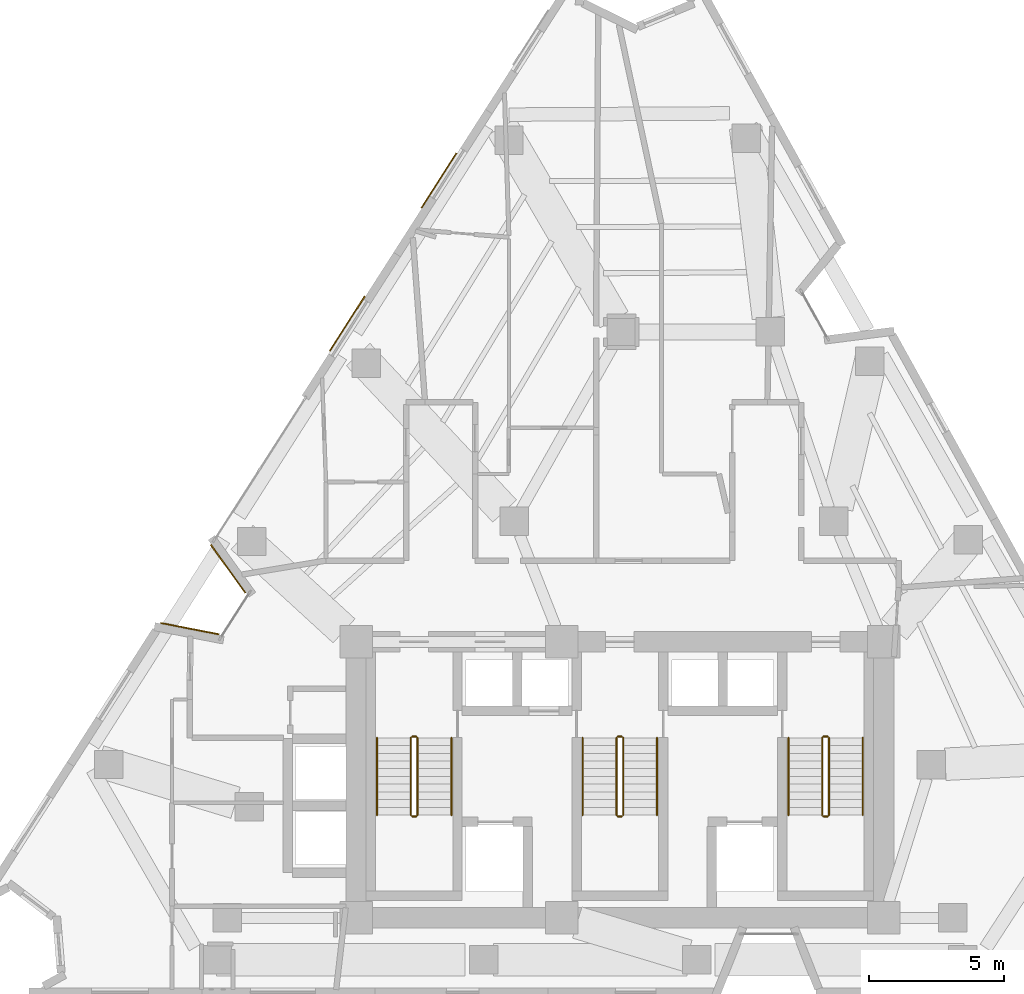
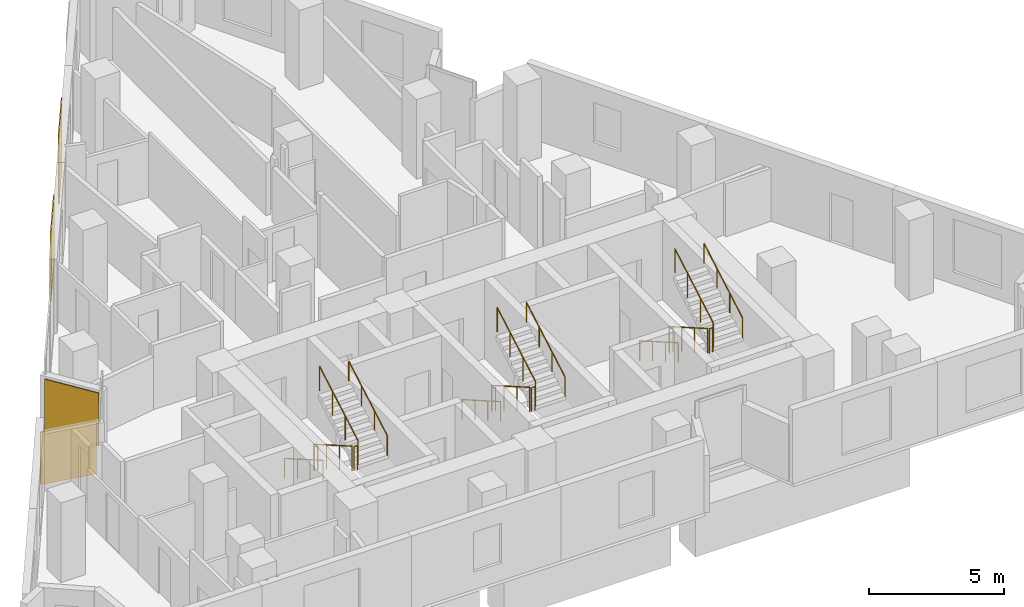
# One storey, part 10 of 11: 18 railings, 4 coverings.
"""IFC4 building model written with IfcOpenShell, lengths in metres."""

import ifcopenshell
import ifcopenshell.guid

model = None  # the IFC model being written
_history = None  # IfcOwnerHistory: only IFC2X3 demands one
_inside = {}  # id of a spatial element -> (the spatial element, [elements in it])
_under = {}  # id of a project, library or spatial element -> (it, [spatial elements below it])
_declared = {}  # id of a project -> (the project, [libraries it declares])
_typed = {}  # id of a type object -> (the type object, [elements of that type])
_made_of = {}  # id of a material, layer set ... -> (it, [elements and type objects made of it])


def new_model(schema):
    """Start an empty IFC model of exactly this schema.

    Asked for "IFC4X3", IfcOpenShell would pick the latest addendum, in which some entities
    have other attributes; the version numbers below select the first issue.
    IFC2X3 requires an IfcOwnerHistory on every rooted entity: one is made here for all.
    """
    global model, _history
    if schema == "IFC4X3":
        model = ifcopenshell.file(schema_version=(4, 3, 0, 0))
    else:
        model = ifcopenshell.file(schema=schema)
    _inside.clear()
    _under.clear()
    _declared.clear()
    _typed.clear()
    _made_of.clear()
    _history = None
    if model.schema == "IFC2X3":
        org = make("IfcOrganization", Name="unknown")
        user = make(
            "IfcPersonAndOrganization",
            ThePerson=make("IfcPerson", FamilyName="unknown"),
            TheOrganization=org,
        )
        app = make(
            "IfcApplication",
            ApplicationDeveloper=org,
            Version="unknown",
            ApplicationFullName="unknown",
            ApplicationIdentifier="unknown",
        )
        _history = make(
            "IfcOwnerHistory",
            OwningUser=user,
            OwningApplication=app,
            ChangeAction="ADDED",
            CreationDate=0,
        )
    return model


def make(cls, **values):
    """One entity of the class cls with the attributes given. An attribute that is None is left unset."""
    return model.create_entity(
        cls, **{name: value for name, value in values.items() if value is not None}
    )


def rooted(cls, **values):
    """An entity with a GlobalId (a new one), such as an element, a storey or a relation."""
    return make(cls, GlobalId=ifcopenshell.guid.new(), OwnerHistory=_history, **values)


def si_unit(unit_type, name, prefix=None):
    """IfcSIUnit, for example si_unit("LENGTHUNIT", "METRE", prefix="MILLI")."""
    return make("IfcSIUnit", UnitType=unit_type, Prefix=prefix, Name=name)


def assignment(units):
    """IfcUnitAssignment: the units of a project."""
    return None if units is None else make("IfcUnitAssignment", Units=units)


def point(xyz):
    """IfcCartesianPoint."""
    return None if xyz is None else make("IfcCartesianPoint", Coordinates=xyz)


def direction(xyz):
    """IfcDirection."""
    return None if xyz is None else make("IfcDirection", DirectionRatios=xyz)


def frame(location, z_axis=None, x_axis=None):
    """IfcAxis2Placement3D, a coordinate frame: its origin and axes. An axis left out is left unset."""
    return make(
        "IfcAxis2Placement3D",
        Location=point(location),
        Axis=direction(z_axis),
        RefDirection=direction(x_axis),
    )


def frame_2d(location, x_axis=None):
    """IfcAxis2Placement2D, a coordinate frame in the plane: its origin and x axis."""
    return make(
        "IfcAxis2Placement2D", Location=point(location), RefDirection=direction(x_axis)
    )


def origin():
    """The frame at (0, 0, 0) with its axes left unset."""
    return frame((0.0, 0.0, 0.0))


def origin_2d():
    """The frame at (0, 0) in the plane with its x axis left unset."""
    return frame_2d((0.0, 0.0))


def place(relative_to, where):
    """IfcLocalPlacement: puts the frame where relative to a parent placement (None: the world)."""
    return make(
        "IfcLocalPlacement", PlacementRelTo=relative_to, RelativePlacement=where
    )


def context(
    kind, dimensions, precision=None, world=None, true_north=None, identifier=None
):
    """IfcGeometricRepresentationContext, for example the 3D "Model" context."""
    return make(
        "IfcGeometricRepresentationContext",
        ContextIdentifier=identifier,
        ContextType=kind,
        CoordinateSpaceDimension=dimensions,
        Precision=precision,
        WorldCoordinateSystem=world,
        TrueNorth=true_north,
    )


def subcontext(parent, identifier, kind, view, scale=None):
    """IfcGeometricRepresentationSubContext, for example "Body" below "Model"."""
    return make(
        "IfcGeometricRepresentationSubContext",
        ContextIdentifier=identifier,
        ContextType=kind,
        ParentContext=parent,
        TargetScale=scale,
        TargetView=view,
    )


def project(units=None, contexts=None):
    """IfcProject with its units and contexts."""
    return rooted(
        "IfcProject",
        Name="project",
        RepresentationContexts=contexts,
        UnitsInContext=assignment(units),
    )


def spatial(cls, under=None, at=None, **own):
    """A site, building, storey or space (cls), placed at a placement, below another one or the project."""
    s = rooted(cls, ObjectPlacement=at, **own)
    if under is not None:
        _under.setdefault(under.id(), (under, []))[1].append(s)
    return s


def profile(cls, at=None, kind="AREA", **sizes):
    """A parametric profile (cls). Its sizes go by their IFC names, for example OverallWidth=200.0."""
    return make(cls, ProfileType=kind, Position=at, **sizes)


def rectangle(**sizes):
    """IfcRectangleProfileDef."""
    return profile("IfcRectangleProfileDef", **sizes)


def circle(**sizes):
    """IfcCircleProfileDef."""
    return profile("IfcCircleProfileDef", **sizes)


def extrude(swept, where, along, depth):
    """IfcExtrudedAreaSolid: the profile swept, set in the frame where, extruded along a direction by depth."""
    return make(
        "IfcExtrudedAreaSolid",
        SweptArea=swept,
        Position=where,
        ExtrudedDirection=direction(along),
        Depth=depth,
    )


def shape(context_of_items, identifier, shape_type, items):
    """IfcShapeRepresentation: the items that make up one representation, for example the "Body"."""
    return make(
        "IfcShapeRepresentation",
        ContextOfItems=context_of_items,
        RepresentationIdentifier=identifier,
        RepresentationType=shape_type,
        Items=items,
    )


def material(Name=None, Category=None):
    """IfcMaterial."""
    return make("IfcMaterial", Name=Name, Category=Category)


def layer(
    of_material, thickness, ventilated=None, Name=None, Category=None, Priority=None
):
    """IfcMaterialLayer: one layer of a wall or slab, of a material (None: an air gap)."""
    return make(
        "IfcMaterialLayer",
        Material=of_material,
        LayerThickness=thickness,
        IsVentilated=ventilated,
        Name=Name,
        Category=Category,
        Priority=Priority,
    )


def layer_set(layers, Name=None):
    """IfcMaterialLayerSet."""
    return make("IfcMaterialLayerSet", MaterialLayers=layers, LayerSetName=Name)


def made_of(thing, what):
    """Note that an element or type object is made of a material, layer set ...; save() writes the relation."""
    if what is not None:
        _made_of.setdefault(what.id(), (what, []))[1].append(thing)
    return thing


def type_object(cls, material=None, **own):
    """A type object (cls), such as IfcWallType, which elements share."""
    return made_of(rooted(cls, **own), material)


def element(
    cls,
    number,
    at=None,
    inside=None,
    cuts=None,
    type_object=None,
    material=None,
    context=None,
    identifier="Body",
    shape_type=None,
    held_by="IfcProductDefinitionShape",
    body=None,
    shapes=None,
    **own,
):
    """One element of the class cls, such as IfcWall. Its Tag is "e" and its number.

    at: its placement. inside: the storey or other place that contains it. cuts: it is an
    opening in that element (IfcRelVoidsElement). A single representation is given by context,
    identifier, shape_type and body (its items); several are given by shapes. held_by: the class
    of the entity that holds the representations. save() writes the other relations.
    """
    e = rooted(cls, Tag="e%d" % number, ObjectPlacement=at, **own)
    if body is not None:
        shapes = [shape(context, identifier, shape_type, body)]
    if shapes is not None:
        e.Representation = make(held_by, Representations=shapes)
    if inside is not None:
        _inside.setdefault(inside.id(), (inside, []))[1].append(e)
    if cuts is not None:
        rooted(
            "IfcRelVoidsElement", RelatingBuildingElement=cuts, RelatedOpeningElement=e
        )
    if type_object is not None:
        _typed.setdefault(type_object.id(), (type_object, []))[1].append(e)
    return made_of(e, material)


def aggregate(whole, parts):
    """IfcRelAggregates: a whole, such as a stair, and the parts it consists of."""
    return rooted("IfcRelAggregates", RelatingObject=whole, RelatedObjects=parts)


def save(model, path):
    """Write the relations noted so far, then the file.

    IfcRelAggregates (storeys below a building ...), IfcRelContainedInSpatialStructure (elements
    in a storey), IfcRelDefinesByType, IfcRelAssociatesMaterial and IfcRelDeclares: one each for
    every whole, place, type object, material and project.
    """
    for whole, parts in _under.values():
        aggregate(whole, parts)
    for where, things in _inside.values():
        rooted(
            "IfcRelContainedInSpatialStructure",
            RelatedElements=things,
            RelatingStructure=where,
        )
    for kind, things in _typed.values():
        rooted("IfcRelDefinesByType", RelatedObjects=things, RelatingType=kind)
    for what, things in _made_of.values():
        rooted("IfcRelAssociatesMaterial", RelatedObjects=things, RelatingMaterial=what)
    for by, libraries in _declared.values():
        rooted("IfcRelDeclares", RelatingContext=by, RelatedDefinitions=libraries)
    model.write(path)


model = new_model("IFC4")

# Units and contexts
model_context = context("Model", 3, precision=1e-05, world=origin(), true_north=direction((0.0, 1.0)))
body_context = subcontext(model_context, "Body", "Model", "MODEL_VIEW")
ifc_project = project(units=[si_unit("LENGTHUNIT", "METRE"), si_unit("AREAUNIT", "SQUARE_METRE"), si_unit("VOLUMEUNIT", "CUBIC_METRE"), si_unit("PLANEANGLEUNIT", "RADIAN"), si_unit("MASSUNIT", "GRAM", prefix="KILO")], contexts=[model_context])

# Site, building, storey
site_placement = place(None, origin())
site = spatial("IfcSite", under=ifc_project, at=site_placement, CompositionType="ELEMENT")
building_placement = place(site_placement, origin())
building = spatial("IfcBuilding", under=site, at=building_placement, Name="Almagre Mirador Tower", CompositionType="ELEMENT")
storey_placement = place(building_placement, frame((0.0, 0.0, 153.60009765625)))
storey = spatial("IfcBuildingStorey", under=building, at=storey_placement, Name="L39", CompositionType="ELEMENT", Elevation=153.60009765625)

# Coverings
ifc_material_1 = material(Name="Almagre terracotta architectural cladding", Category="masonry")
ifc_layer = layer(ifc_material_1, 0.044921875)
ifc_layer_set = layer_set([ifc_layer], Name="Almagre terracotta architectural cladding")
covering_type = type_object("IfcCoveringType", Name="COV-CLAD-ALMAGRE", PredefinedType="CLADDING", material=ifc_layer_set)
covering_1_placement = place(storey_placement, frame((21.409912109375, 15.2353515625, 0.099853515625), z_axis=(0.0, 0.0, 1.0), x_axis=(0.981760154029, -0.190123643878, 0.0)))
element("IfcCovering", 1, at=covering_1_placement, inside=storey, type_object=covering_type, Name="L39 almagre terracotta pier cladding", PredefinedType="CLADDING", context=body_context, shape_type="SweptSolid", body=[
    extrude(rectangle(XDim=2.194091796875, YDim=0.044921875, at=origin_2d()), origin(), (0.0, 0.0, 1.0), 2.375),
])
covering_2_placement = place(storey_placement, frame((22.826416015625, 17.44482421875, 0.099853515625), z_axis=(0.0, 0.0, 1.0), x_axis=(-0.583186817535, 0.812338067466, 0.0)))
element("IfcCovering", 2, at=covering_2_placement, inside=storey, type_object=covering_type, Name="L39 almagre terracotta pier cladding", PredefinedType="CLADDING", context=body_context, shape_type="SweptSolid", body=[
    extrude(rectangle(XDim=2.193115234375, YDim=0.044921875, at=origin_2d()), origin(), (0.0, 0.0, 1.0), 2.375),
])
for number, where, z_axis, x_axis, name in (
    (3, (27.22802734375, 26.50830078125, 0.099853515625), (0.0, 0.0, 1.0), (0.539505758171, 0.841981910079, 0.0), "L39 almagre terracotta pier cladding"),
    (4, (30.615478515625, 31.794921875, 0.099853515625), (0.0, 0.0, 1.0), (0.539505758171, 0.841981910079, 0.0), "L39 almagre terracotta pier cladding"),
):
    element("IfcCovering", number, at=place(storey_placement, frame(where, z_axis=z_axis, x_axis=x_axis)), inside=storey, type_object=covering_type, Name=name, PredefinedType="CLADDING", context=body_context, shape_type="SweptSolid", body=[
        extrude(rectangle(XDim=2.39990234375, YDim=0.044921875, at=origin_2d()), origin(), (0.0, 0.0, 1.0), 3.14990234375),
    ])

# Railings
ifc_material_2 = material(Name="Painted galvanized steel", Category="steel")
railing_type_1 = type_object("IfcRailingType", Name="RLG-GRD-1100", PredefinedType="GUARDRAIL", material=ifc_material_2)
railing_1_placement = place(storey_placement, frame((29.574951171875, 11.199951171875, 0.16357421875)))
element("IfcRailing", 5, at=railing_1_placement, inside=storey, type_object=railing_type_1, Name="L39 ST-1 stair guard 1", PredefinedType="GUARDRAIL", context=body_context, shape_type="SweptSolid", body=[
    extrude(circle(Radius=0.02392578125, at=origin_2d()), frame((0.0, 0.0, 1.09619140625), z_axis=(0.0, -0.867226363773, 0.497914082927), x_axis=(1.0, 0.0, 0.0)), (0.0, 0.0, 1.0), 3.2861328125),
    extrude(circle(Radius=0.02099609375, at=origin_2d()), origin(), (0.0, 0.0, 1.0), 1.072021484375),
    extrude(circle(Radius=0.02099609375, at=origin_2d()), frame((0.0, -0.949951171875, 0.54541015625)), (0.0, 0.0, 1.0), 1.072021484375),
    extrude(circle(Radius=0.02099609375, at=origin_2d()), frame((0.0, -1.89990234375, 1.0908203125)), (0.0, 0.0, 1.0), 1.072021484375),
    extrude(circle(Radius=0.02099609375, at=origin_2d()), frame((0.0, -2.849853515625, 1.63623046875)), (0.0, 0.0, 1.0), 1.072021484375),
])
railing_2_placement = place(storey_placement, frame((29.625, 8.300048828125, 1.7998046875)))
element("IfcRailing", 6, at=railing_2_placement, inside=storey, type_object=railing_type_1, Name="L39 ST-1 stair guard 2", PredefinedType="GUARDRAIL", context=body_context, shape_type="SweptSolid", body=[
    extrude(circle(Radius=0.02392578125, at=origin_2d()), frame((0.0, 0.0, 1.09619140625), z_axis=(1.0, 0.0, 0.0), x_axis=(0.0, 1.0, 0.0)), (0.0, 0.0, 1.0), 0.14990234375),
    extrude(circle(Radius=0.02099609375, at=origin_2d()), origin(), (0.0, 0.0, 1.0), 1.072021484375),
    extrude(circle(Radius=0.02099609375, at=origin_2d()), frame((0.14990234375, 0.0, 0.0)), (0.0, 0.0, 1.0), 1.072021484375),
])
railing_3_placement = place(storey_placement, frame((29.824951171875, 8.35009765625, 1.963623046875)))
element("IfcRailing", 7, at=railing_3_placement, inside=storey, type_object=railing_type_1, Name="L39 ST-1 stair guard 3", PredefinedType="GUARDRAIL", context=body_context, shape_type="SweptSolid", body=[
    extrude(circle(Radius=0.02392578125, at=origin_2d()), frame((0.0, 0.0, 1.09619140625), z_axis=(0.0, 0.867226363773, 0.497914082927), x_axis=(-1.0, 0.0, 0.0)), (0.0, 0.0, 1.0), 3.2861328125),
    extrude(circle(Radius=0.02099609375, at=origin_2d()), origin(), (0.0, 0.0, 1.0), 1.072021484375),
    extrude(circle(Radius=0.02099609375, at=origin_2d()), frame((0.0, 0.949951171875, 0.54541015625)), (0.0, 0.0, 1.0), 1.072021484375),
    extrude(circle(Radius=0.02099609375, at=origin_2d()), frame((0.0, 1.89990234375, 1.0908203125)), (0.0, 0.0, 1.0), 1.072021484375),
    extrude(circle(Radius=0.02099609375, at=origin_2d()), frame((0.0, 2.849853515625, 1.63623046875)), (0.0, 0.0, 1.0), 1.072021484375),
])
railing_4_placement = place(storey_placement, frame((29.625, 11.25, 0.0)))
element("IfcRailing", 8, at=railing_4_placement, inside=storey, type_object=railing_type_1, Name="L39 ST-1 stair guard 4", PredefinedType="GUARDRAIL", context=body_context, shape_type="SweptSolid", body=[
    extrude(circle(Radius=0.02392578125, at=origin_2d()), frame((0.0, 0.0, 1.09619140625), z_axis=(1.0, 0.0, 0.0), x_axis=(0.0, 1.0, 0.0)), (0.0, 0.0, 1.0), 0.14990234375),
    extrude(circle(Radius=0.02099609375, at=origin_2d()), origin(), (0.0, 0.0, 1.0), 1.072021484375),
    extrude(circle(Radius=0.02099609375, at=origin_2d()), frame((0.14990234375, 0.0, 0.0)), (0.0, 0.0, 1.0), 1.072021484375),
])
railing_5_placement = place(storey_placement, frame((37.175048828125, 11.199951171875, 0.16357421875)))
element("IfcRailing", 9, at=railing_5_placement, inside=storey, type_object=railing_type_1, Name="L39 ST-2 stair guard 1", PredefinedType="GUARDRAIL", context=body_context, shape_type="SweptSolid", body=[
    extrude(circle(Radius=0.02392578125, at=origin_2d()), frame((0.0, 0.0, 1.09619140625), z_axis=(0.0, -0.867226363773, 0.497914082927), x_axis=(1.0, 0.0, 0.0)), (0.0, 0.0, 1.0), 3.2861328125),
    extrude(circle(Radius=0.02099609375, at=origin_2d()), origin(), (0.0, 0.0, 1.0), 1.072021484375),
    extrude(circle(Radius=0.02099609375, at=origin_2d()), frame((0.0, -0.949951171875, 0.54541015625)), (0.0, 0.0, 1.0), 1.072021484375),
    extrude(circle(Radius=0.02099609375, at=origin_2d()), frame((0.0, -1.89990234375, 1.0908203125)), (0.0, 0.0, 1.0), 1.072021484375),
    extrude(circle(Radius=0.02099609375, at=origin_2d()), frame((0.0, -2.849853515625, 1.63623046875)), (0.0, 0.0, 1.0), 1.072021484375),
])
railing_6_placement = place(storey_placement, frame((37.22509765625, 8.300048828125, 1.7998046875)))
element("IfcRailing", 10, at=railing_6_placement, inside=storey, type_object=railing_type_1, Name="L39 ST-2 stair guard 2", PredefinedType="GUARDRAIL", context=body_context, shape_type="SweptSolid", body=[
    extrude(circle(Radius=0.02392578125, at=origin_2d()), frame((0.0, 0.0, 1.09619140625), z_axis=(1.0, 0.0, 0.0), x_axis=(0.0, 1.0, 0.0)), (0.0, 0.0, 1.0), 0.14990234375),
    extrude(circle(Radius=0.02099609375, at=origin_2d()), origin(), (0.0, 0.0, 1.0), 1.072021484375),
    extrude(circle(Radius=0.02099609375, at=origin_2d()), frame((0.14990234375, 0.0, 0.0)), (0.0, 0.0, 1.0), 1.072021484375),
])
railing_7_placement = place(storey_placement, frame((37.425048828125, 8.35009765625, 1.963623046875)))
element("IfcRailing", 11, at=railing_7_placement, inside=storey, type_object=railing_type_1, Name="L39 ST-2 stair guard 3", PredefinedType="GUARDRAIL", context=body_context, shape_type="SweptSolid", body=[
    extrude(circle(Radius=0.02392578125, at=origin_2d()), frame((0.0, 0.0, 1.09619140625), z_axis=(0.0, 0.867226363773, 0.497914082927), x_axis=(-1.0, 0.0, 0.0)), (0.0, 0.0, 1.0), 3.2861328125),
    extrude(circle(Radius=0.02099609375, at=origin_2d()), origin(), (0.0, 0.0, 1.0), 1.072021484375),
    extrude(circle(Radius=0.02099609375, at=origin_2d()), frame((0.0, 0.949951171875, 0.54541015625)), (0.0, 0.0, 1.0), 1.072021484375),
    extrude(circle(Radius=0.02099609375, at=origin_2d()), frame((0.0, 1.89990234375, 1.0908203125)), (0.0, 0.0, 1.0), 1.072021484375),
    extrude(circle(Radius=0.02099609375, at=origin_2d()), frame((0.0, 2.849853515625, 1.63623046875)), (0.0, 0.0, 1.0), 1.072021484375),
])
railing_8_placement = place(storey_placement, frame((37.22509765625, 11.25, 0.0)))
element("IfcRailing", 12, at=railing_8_placement, inside=storey, type_object=railing_type_1, Name="L39 ST-2 stair guard 4", PredefinedType="GUARDRAIL", context=body_context, shape_type="SweptSolid", body=[
    extrude(circle(Radius=0.02392578125, at=origin_2d()), frame((0.0, 0.0, 1.09619140625), z_axis=(1.0, 0.0, 0.0), x_axis=(0.0, 1.0, 0.0)), (0.0, 0.0, 1.0), 0.14990234375),
    extrude(circle(Radius=0.02099609375, at=origin_2d()), origin(), (0.0, 0.0, 1.0), 1.072021484375),
    extrude(circle(Radius=0.02099609375, at=origin_2d()), frame((0.14990234375, 0.0, 0.0)), (0.0, 0.0, 1.0), 1.072021484375),
])
railing_9_placement = place(storey_placement, frame((44.77490234375, 11.199951171875, 0.16357421875)))
element("IfcRailing", 13, at=railing_9_placement, inside=storey, type_object=railing_type_1, Name="L39 ST-3 stair guard 1", PredefinedType="GUARDRAIL", context=body_context, shape_type="SweptSolid", body=[
    extrude(circle(Radius=0.02392578125, at=origin_2d()), frame((0.0, 0.0, 1.09619140625), z_axis=(0.0, -0.867226363773, 0.497914082927), x_axis=(1.0, 0.0, 0.0)), (0.0, 0.0, 1.0), 3.2861328125),
    extrude(circle(Radius=0.02099609375, at=origin_2d()), origin(), (0.0, 0.0, 1.0), 1.072021484375),
    extrude(circle(Radius=0.02099609375, at=origin_2d()), frame((0.0, -0.949951171875, 0.54541015625)), (0.0, 0.0, 1.0), 1.072021484375),
    extrude(circle(Radius=0.02099609375, at=origin_2d()), frame((0.0, -1.89990234375, 1.0908203125)), (0.0, 0.0, 1.0), 1.072021484375),
    extrude(circle(Radius=0.02099609375, at=origin_2d()), frame((0.0, -2.849853515625, 1.63623046875)), (0.0, 0.0, 1.0), 1.072021484375),
])
railing_10_placement = place(storey_placement, frame((44.824951171875, 8.300048828125, 1.7998046875)))
element("IfcRailing", 14, at=railing_10_placement, inside=storey, type_object=railing_type_1, Name="L39 ST-3 stair guard 2", PredefinedType="GUARDRAIL", context=body_context, shape_type="SweptSolid", body=[
    extrude(circle(Radius=0.02392578125, at=origin_2d()), frame((0.0, 0.0, 1.09619140625), z_axis=(1.0, 0.0, 0.0), x_axis=(0.0, 1.0, 0.0)), (0.0, 0.0, 1.0), 0.150146484375),
    extrude(circle(Radius=0.02099609375, at=origin_2d()), origin(), (0.0, 0.0, 1.0), 1.072021484375),
    extrude(circle(Radius=0.02099609375, at=origin_2d()), frame((0.150146484375, 0.0, 0.0)), (0.0, 0.0, 1.0), 1.072021484375),
])
railing_11_placement = place(storey_placement, frame((45.02490234375, 8.35009765625, 1.963623046875)))
element("IfcRailing", 15, at=railing_11_placement, inside=storey, type_object=railing_type_1, Name="L39 ST-3 stair guard 3", PredefinedType="GUARDRAIL", context=body_context, shape_type="SweptSolid", body=[
    extrude(circle(Radius=0.02392578125, at=origin_2d()), frame((0.0, 0.0, 1.09619140625), z_axis=(0.0, 0.867226363773, 0.497914082927), x_axis=(-1.0, 0.0, 0.0)), (0.0, 0.0, 1.0), 3.2861328125),
    extrude(circle(Radius=0.02099609375, at=origin_2d()), origin(), (0.0, 0.0, 1.0), 1.072021484375),
    extrude(circle(Radius=0.02099609375, at=origin_2d()), frame((0.0, 0.949951171875, 0.54541015625)), (0.0, 0.0, 1.0), 1.072021484375),
    extrude(circle(Radius=0.02099609375, at=origin_2d()), frame((0.0, 1.89990234375, 1.0908203125)), (0.0, 0.0, 1.0), 1.072021484375),
    extrude(circle(Radius=0.02099609375, at=origin_2d()), frame((0.0, 2.849853515625, 1.63623046875)), (0.0, 0.0, 1.0), 1.072021484375),
])
railing_12_placement = place(storey_placement, frame((44.824951171875, 11.25, 0.0)))
element("IfcRailing", 16, at=railing_12_placement, inside=storey, type_object=railing_type_1, Name="L39 ST-3 stair guard 4", PredefinedType="GUARDRAIL", context=body_context, shape_type="SweptSolid", body=[
    extrude(circle(Radius=0.02392578125, at=origin_2d()), frame((0.0, 0.0, 1.09619140625), z_axis=(1.0, 0.0, 0.0), x_axis=(0.0, 1.0, 0.0)), (0.0, 0.0, 1.0), 0.150146484375),
    extrude(circle(Radius=0.02099609375, at=origin_2d()), origin(), (0.0, 0.0, 1.0), 1.072021484375),
    extrude(circle(Radius=0.02099609375, at=origin_2d()), frame((0.150146484375, 0.0, 0.0)), (0.0, 0.0, 1.0), 1.072021484375),
])
ifc_material_3 = material(Name="Brushed stainless steel", Category="steel")
railing_type_2 = type_object("IfcRailingType", Name="RLG-HND-915", PredefinedType="HANDRAIL", material=ifc_material_3)
railing_13_placement = place(storey_placement, frame((28.324951171875, 11.199951171875, 0.16357421875)))
element("IfcRailing", 17, at=railing_13_placement, inside=storey, type_object=railing_type_2, Name="L39 ST-1 stair handrail 1", PredefinedType="HANDRAIL", context=body_context, shape_type="SweptSolid", body=[
    extrude(circle(Radius=0.02392578125, at=origin_2d()), frame((0.0, 0.0, 0.89111328125), z_axis=(0.0, -0.867226363773, 0.497914082927), x_axis=(1.0, 0.0, 0.0)), (0.0, 0.0, 1.0), 3.2861328125),
    extrude(circle(Radius=0.02099609375, at=origin_2d()), origin(), (0.0, 0.0, 1.0), 0.866943359375),
    extrude(circle(Radius=0.02099609375, at=origin_2d()), frame((0.0, -0.949951171875, 0.54541015625)), (0.0, 0.0, 1.0), 0.866943359375),
    extrude(circle(Radius=0.02099609375, at=origin_2d()), frame((0.0, -1.89990234375, 1.0908203125)), (0.0, 0.0, 1.0), 0.866943359375),
    extrude(circle(Radius=0.02099609375, at=origin_2d()), frame((0.0, -2.849853515625, 1.63623046875)), (0.0, 0.0, 1.0), 0.866943359375),
])
railing_14_placement = place(storey_placement, frame((31.074951171875, 8.35009765625, 1.963623046875)))
element("IfcRailing", 18, at=railing_14_placement, inside=storey, type_object=railing_type_2, Name="L39 ST-1 stair handrail 2", PredefinedType="HANDRAIL", context=body_context, shape_type="SweptSolid", body=[
    extrude(circle(Radius=0.02392578125, at=origin_2d()), frame((0.0, 0.0, 0.89111328125), z_axis=(0.0, 0.867226363773, 0.497914082927), x_axis=(-1.0, 0.0, 0.0)), (0.0, 0.0, 1.0), 3.2861328125),
    extrude(circle(Radius=0.02099609375, at=origin_2d()), origin(), (0.0, 0.0, 1.0), 0.866943359375),
    extrude(circle(Radius=0.02099609375, at=origin_2d()), frame((0.0, 0.949951171875, 0.54541015625)), (0.0, 0.0, 1.0), 0.866943359375),
    extrude(circle(Radius=0.02099609375, at=origin_2d()), frame((0.0, 1.89990234375, 1.0908203125)), (0.0, 0.0, 1.0), 0.866943359375),
    extrude(circle(Radius=0.02099609375, at=origin_2d()), frame((0.0, 2.849853515625, 1.63623046875)), (0.0, 0.0, 1.0), 0.866943359375),
])
railing_15_placement = place(storey_placement, frame((35.925048828125, 11.199951171875, 0.16357421875)))
element("IfcRailing", 19, at=railing_15_placement, inside=storey, type_object=railing_type_2, Name="L39 ST-2 stair handrail 1", PredefinedType="HANDRAIL", context=body_context, shape_type="SweptSolid", body=[
    extrude(circle(Radius=0.02392578125, at=origin_2d()), frame((0.0, 0.0, 0.89111328125), z_axis=(0.0, -0.867226363773, 0.497914082927), x_axis=(1.0, 0.0, 0.0)), (0.0, 0.0, 1.0), 3.2861328125),
    extrude(circle(Radius=0.02099609375, at=origin_2d()), origin(), (0.0, 0.0, 1.0), 0.866943359375),
    extrude(circle(Radius=0.02099609375, at=origin_2d()), frame((0.0, -0.949951171875, 0.54541015625)), (0.0, 0.0, 1.0), 0.866943359375),
    extrude(circle(Radius=0.02099609375, at=origin_2d()), frame((0.0, -1.89990234375, 1.0908203125)), (0.0, 0.0, 1.0), 0.866943359375),
    extrude(circle(Radius=0.02099609375, at=origin_2d()), frame((0.0, -2.849853515625, 1.63623046875)), (0.0, 0.0, 1.0), 0.866943359375),
])
railing_16_placement = place(storey_placement, frame((38.675048828125, 8.35009765625, 1.963623046875)))
element("IfcRailing", 20, at=railing_16_placement, inside=storey, type_object=railing_type_2, Name="L39 ST-2 stair handrail 2", PredefinedType="HANDRAIL", context=body_context, shape_type="SweptSolid", body=[
    extrude(circle(Radius=0.02392578125, at=origin_2d()), frame((0.0, 0.0, 0.89111328125), z_axis=(0.0, 0.867226363773, 0.497914082927), x_axis=(-1.0, 0.0, 0.0)), (0.0, 0.0, 1.0), 3.2861328125),
    extrude(circle(Radius=0.02099609375, at=origin_2d()), origin(), (0.0, 0.0, 1.0), 0.866943359375),
    extrude(circle(Radius=0.02099609375, at=origin_2d()), frame((0.0, 0.949951171875, 0.54541015625)), (0.0, 0.0, 1.0), 0.866943359375),
    extrude(circle(Radius=0.02099609375, at=origin_2d()), frame((0.0, 1.89990234375, 1.0908203125)), (0.0, 0.0, 1.0), 0.866943359375),
    extrude(circle(Radius=0.02099609375, at=origin_2d()), frame((0.0, 2.849853515625, 1.63623046875)), (0.0, 0.0, 1.0), 0.866943359375),
])
railing_17_placement = place(storey_placement, frame((43.52490234375, 11.199951171875, 0.16357421875)))
element("IfcRailing", 21, at=railing_17_placement, inside=storey, type_object=railing_type_2, Name="L39 ST-3 stair handrail 1", PredefinedType="HANDRAIL", context=body_context, shape_type="SweptSolid", body=[
    extrude(circle(Radius=0.02392578125, at=origin_2d()), frame((0.0, 0.0, 0.89111328125), z_axis=(0.0, -0.867226363773, 0.497914082927), x_axis=(1.0, 0.0, 0.0)), (0.0, 0.0, 1.0), 3.2861328125),
    extrude(circle(Radius=0.02099609375, at=origin_2d()), origin(), (0.0, 0.0, 1.0), 0.866943359375),
    extrude(circle(Radius=0.02099609375, at=origin_2d()), frame((0.0, -0.949951171875, 0.54541015625)), (0.0, 0.0, 1.0), 0.866943359375),
    extrude(circle(Radius=0.02099609375, at=origin_2d()), frame((0.0, -1.89990234375, 1.0908203125)), (0.0, 0.0, 1.0), 0.866943359375),
    extrude(circle(Radius=0.02099609375, at=origin_2d()), frame((0.0, -2.849853515625, 1.63623046875)), (0.0, 0.0, 1.0), 0.866943359375),
])
railing_18_placement = place(storey_placement, frame((46.27490234375, 8.35009765625, 1.963623046875)))
element("IfcRailing", 22, at=railing_18_placement, inside=storey, type_object=railing_type_2, Name="L39 ST-3 stair handrail 2", PredefinedType="HANDRAIL", context=body_context, shape_type="SweptSolid", body=[
    extrude(circle(Radius=0.02392578125, at=origin_2d()), frame((0.0, 0.0, 0.89111328125), z_axis=(0.0, 0.867226363773, 0.497914082927), x_axis=(-1.0, 0.0, 0.0)), (0.0, 0.0, 1.0), 3.2861328125),
    extrude(circle(Radius=0.02099609375, at=origin_2d()), origin(), (0.0, 0.0, 1.0), 0.866943359375),
    extrude(circle(Radius=0.02099609375, at=origin_2d()), frame((0.0, 0.949951171875, 0.54541015625)), (0.0, 0.0, 1.0), 0.866943359375),
    extrude(circle(Radius=0.02099609375, at=origin_2d()), frame((0.0, 1.89990234375, 1.0908203125)), (0.0, 0.0, 1.0), 0.866943359375),
    extrude(circle(Radius=0.02099609375, at=origin_2d()), frame((0.0, 2.849853515625, 1.63623046875)), (0.0, 0.0, 1.0), 0.866943359375),
])

save(model, "model.ifc")
